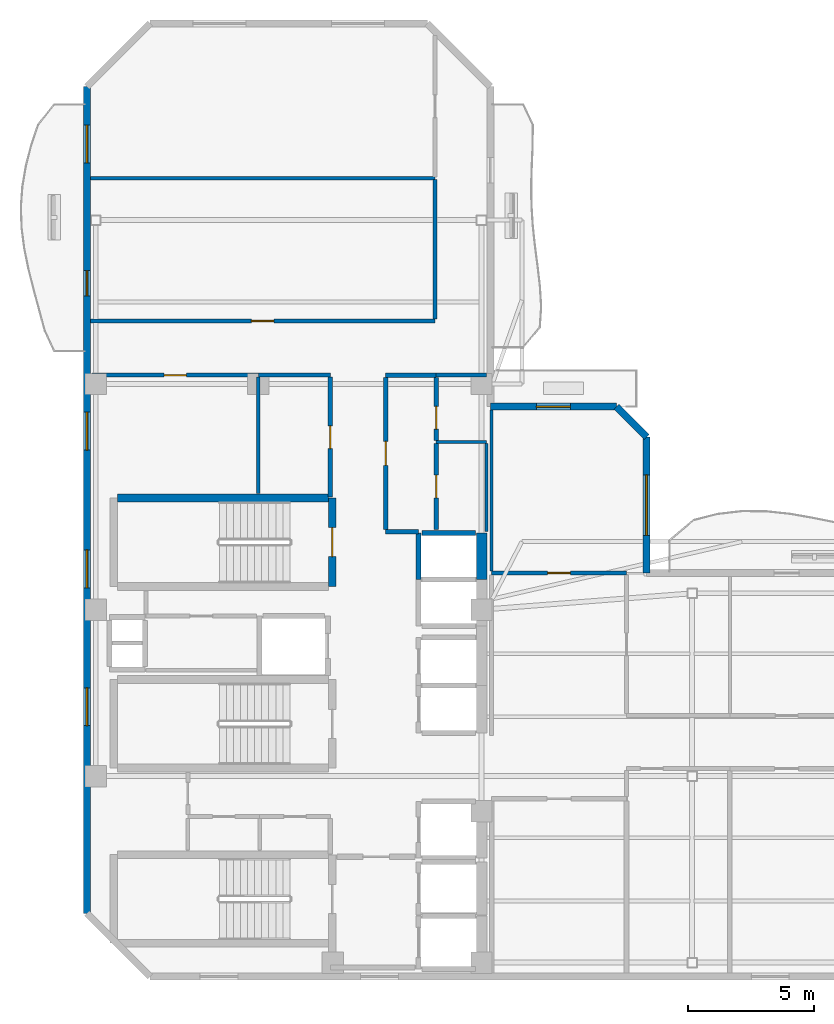
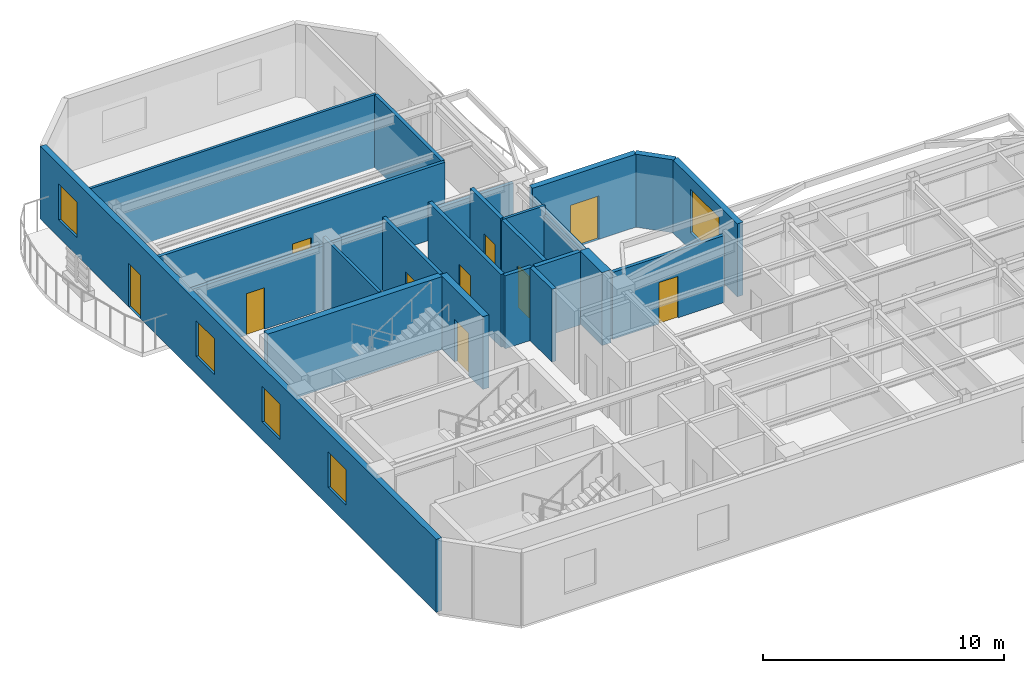
# One storey, part 4 of 8: 26 walls, 10 doors, 5 windows, 15 openings.
"""IFC4 building model written with IfcOpenShell, lengths in metres."""

from ifc_helpers import new_model, si_unit, direction, frame, frame_2d, origin, place, context, subcontext, project, spatial, rectangle, extrude, material, layer, layer_set, type_object, element, fill, save


model = new_model("IFC4")

# Units and contexts
model_context = context("Model", 3, precision=1e-05, world=origin(), true_north=direction((0.0, 1.0)))
body_context = subcontext(model_context, "Body", "Model", "MODEL_VIEW")
ifc_project = project(units=[si_unit("LENGTHUNIT", "METRE"), si_unit("AREAUNIT", "SQUARE_METRE"), si_unit("VOLUMEUNIT", "CUBIC_METRE"), si_unit("PLANEANGLEUNIT", "RADIAN"), si_unit("MASSUNIT", "GRAM", prefix="KILO")], contexts=[model_context])

# Site, building, storey
site_placement = place(None, origin())
site = spatial("IfcSite", under=ifc_project, at=site_placement, CompositionType="ELEMENT")
building_placement = place(site_placement, origin())
building = spatial("IfcBuilding", under=site, at=building_placement, Name="Mawjaban Terraces University", CompositionType="ELEMENT")
storey_placement = place(building_placement, frame((0.0, 0.0, 267.699951171875)))
storey = spatial("IfcBuildingStorey", under=building, at=storey_placement, Name="L65", CompositionType="ELEMENT", Elevation=267.699951171875)

# Walls
ifc_material_1 = material(Name="Acoustic masonry blockwork", Category="masonry")
ifc_layer_1 = layer(ifc_material_1, 0.179931640625)
ifc_layer_set_1 = layer_set([ifc_layer_1], Name="Acoustic masonry blockwork")
wall_type_1 = type_object("IfcWallType", Name="AcousticStudioWall_180", PredefinedType="PARTITIONING", material=ifc_layer_set_1)
wall_1_placement = place(storey_placement, frame((33.85009765625, 17.64990234375, 0.0), z_axis=(0.0, 0.0, 1.0), x_axis=(1.0, 0.0, 0.0)))
element("IfcWall", 1, at=wall_1_placement, inside=storey, type_object=wall_type_1, Name="L65 Graduate Research Collaboration Studio Partition 8", PredefinedType="PARTITIONING", context=body_context, shape_type="SweptSolid", body=[
    extrude(rectangle(XDim=1.2998046875, YDim=0.179931640625, at=frame_2d((0.64990234375, 0.0))), origin(), (0.0, 0.0, 1.0), 3.68994140625),
])
wall_2_placement = place(storey_placement, frame((35.85009765625, 23.85009765625, 0.0), z_axis=(0.0, 0.0, 1.0), x_axis=(-1.0, 0.0, 0.0)))
element("IfcWall", 2, at=wall_2_placement, inside=storey, type_object=wall_type_1, Name="L65 Graduate Research Collaboration Studio Partition 13", PredefinedType="PARTITIONING", context=body_context, shape_type="SweptSolid", body=[
    extrude(rectangle(XDim=2.0, YDim=0.179931640625, at=frame_2d((1.0, 0.0))), origin(), (0.0, 0.0, 1.0), 3.22705078125),
])

# Wall, opening, door
wall_3_placement = place(storey_placement, frame((33.85009765625, 17.735107421875, 0.0), z_axis=(0.0, 0.0, 1.0), x_axis=(0.0, 1.0, 0.0)))
wall_3 = element("IfcWall", 3, at=wall_3_placement, inside=storey, type_object=wall_type_1, Name="L65 Core North Lift Lobby Partition 32", PredefinedType="PARTITIONING", context=body_context, shape_type="SweptSolid", body=[
    extrude(rectangle(XDim=6.02978515625, YDim=0.179931640625, at=frame_2d((3.014892578125, 0.0))), origin(), (0.0, 0.0, 1.0), 3.68994140625),
])
opening_1_placement = place(wall_3_placement, frame((2.5400390625, 0.0, 0.0)))
opening_1 = element("IfcOpeningElement", 4, at=opening_1_placement, cuts=wall_3, Name="Opening ID-095", PredefinedType="OPENING", context=body_context, shape_type="SweptSolid", body=[
    extrude(rectangle(XDim=0.949951171875, YDim=2.10009765625, at=frame_2d((0.47509765625, 1.050048828125))), frame((0.0, 0.099853515625, 0.0), z_axis=(0.0, -1.0, 0.0), x_axis=(1.0, 0.0, 0.0)), (0.0, 0.0, 1.0), 0.199951171875),
])
ifc_material_2 = material(Name="Powder-coated steel frame and solid acoustic timber leaf", Category="steel")
door_type_1 = type_object("IfcDoorType", Name="StudioDoor_950x2100", OperationType="NOTDEFINED", PredefinedType="DOOR", material=ifc_material_2)
door_1_placement = place(opening_1_placement, origin())
door_1 = element("IfcDoor", 5, at=door_1_placement, inside=storey, type_object=door_type_1, Name="L65 Graduate Research Collaboration Studio Door", OperationType="SINGLE_SWING_LEFT", OverallHeight=2.10009765625, OverallWidth=0.949951171875, PredefinedType="DOOR", context=body_context, shape_type="SweptSolid", body=[
    extrude(rectangle(XDim=0.949951171875, YDim=2.10009765625, at=frame_2d((0.47509765625, 1.050048828125))), frame((0.0, 0.02490234375, 0.0), z_axis=(0.0, -1.0, 0.0), x_axis=(1.0, 0.0, 0.0)), (0.0, 0.0, 1.0), 0.050048828125),
])
fill(opening_1, door_1)

wall_4_placement = place(storey_placement, frame((35.85009765625, 17.72998046875, 0.0), z_axis=(0.0, 0.0, 1.0), x_axis=(0.0, 1.0, 0.0)))
wall_4 = element("IfcWall", 6, at=wall_4_placement, inside=storey, type_object=wall_type_1, Name="L65 Graduate Research Collaboration Studio Partition 35", PredefinedType="PARTITIONING", context=body_context, shape_type="SweptSolid", body=[
    extrude(rectangle(XDim=3.412109375, YDim=0.179931640625, at=frame_2d((1.7060546875, 0.0))), origin(), (0.0, 0.0, 1.0), 3.68994140625),
])
opening_2_placement = place(wall_4_placement, frame((1.256103515625, 0.0, 0.0)))
opening_2 = element("IfcOpeningElement", 7, at=opening_2_placement, cuts=wall_4, Name="Opening ID-090", PredefinedType="OPENING", context=body_context, shape_type="SweptSolid", body=[
    extrude(rectangle(XDim=0.89990234375, YDim=2.10009765625, at=frame_2d((0.449951171875, 1.050048828125))), frame((0.0, 0.099853515625, 0.0), z_axis=(0.0, -1.0, 0.0), x_axis=(1.0, 0.0, 0.0)), (0.0, 0.0, 1.0), 0.199951171875),
])
door_type_2 = type_object("IfcDoorType", Name="OfficeDoor_900x2100", OperationType="NOTDEFINED", PredefinedType="DOOR", material=ifc_material_2)
door_2_placement = place(opening_2_placement, origin())
door_2 = element("IfcDoor", 8, at=door_2_placement, inside=storey, type_object=door_type_2, Name="L65 Research Instrument Store Door", OperationType="SINGLE_SWING_LEFT", OverallHeight=2.10009765625, OverallWidth=0.89990234375, PredefinedType="DOOR", context=body_context, shape_type="SweptSolid", body=[
    extrude(rectangle(XDim=0.89990234375, YDim=2.10009765625, at=frame_2d((0.449951171875, 1.050048828125))), frame((0.0, 0.02490234375, 0.0), z_axis=(0.0, -1.0, 0.0), x_axis=(1.0, 0.0, 0.0)), (0.0, 0.0, 1.0), 0.050048828125),
])
fill(opening_2, door_2)

wall_5_placement = place(storey_placement, frame((35.85009765625, 21.258056640625, 0.0), z_axis=(0.0, 0.0, 1.0), x_axis=(0.0, 1.0, 0.0)))
wall_5 = element("IfcWall", 9, at=wall_5_placement, inside=storey, type_object=wall_type_1, Name="L65 Graduate Research Collaboration Studio Partition 36", PredefinedType="PARTITIONING", context=body_context, shape_type="SweptSolid", body=[
    extrude(rectangle(XDim=2.5068359375, YDim=0.179931640625, at=frame_2d((1.25341796875, 0.0))), origin(), (0.0, 0.0, 1.0), 3.68994140625),
])
opening_3_placement = place(wall_5_placement, frame((0.4541015625, 0.0, 0.0)))
opening_3 = element("IfcOpeningElement", 10, at=opening_3_placement, cuts=wall_5, Name="Opening ID-090", PredefinedType="OPENING", context=body_context, shape_type="SweptSolid", body=[
    extrude(rectangle(XDim=0.89990234375, YDim=2.10009765625, at=frame_2d((0.449951171875, 1.050048828125))), frame((0.0, 0.099853515625, 0.0), z_axis=(0.0, -1.0, 0.0), x_axis=(1.0, 0.0, 0.0)), (0.0, 0.0, 1.0), 0.199951171875),
])
door_3_placement = place(opening_3_placement, origin())
door_3 = element("IfcDoor", 11, at=door_3_placement, inside=storey, type_object=door_type_2, Name="L65 Graduate Quiet Study Alcove Door", OperationType="SINGLE_SWING_RIGHT", OverallHeight=2.10009765625, OverallWidth=0.89990234375, PredefinedType="DOOR", context=body_context, shape_type="SweptSolid", body=[
    extrude(rectangle(XDim=0.89990234375, YDim=2.10009765625, at=frame_2d((0.449951171875, 1.050048828125))), frame((0.0, 0.02490234375, 0.0), z_axis=(0.0, -1.0, 0.0), x_axis=(1.0, 0.0, 0.0)), (0.0, 0.0, 1.0), 0.050048828125),
])
fill(opening_3, door_3)

# Wall
ifc_material_3 = material(Name="Concrete C50/60", Category="concrete")
ifc_layer_2 = layer(ifc_material_3, 0.419921875)
ifc_layer_set_2 = layer_set([ifc_layer_2], Name="Concrete C50/60")
wall_type_2 = type_object("IfcWallType", Name="CoreShearWall_420", PredefinedType="SHEAR", material=ifc_layer_set_2)
wall_6_placement = place(storey_placement, frame((37.659912109375, 15.75, 0.0), z_axis=(0.0, 0.0, 1.0), x_axis=(0.0, 1.0, 0.0)))
element("IfcWall", 12, at=wall_6_placement, inside=storey, type_object=wall_type_2, Name="L65 Lift OL-2 Hoistway Wall East", PredefinedType="SHEAR", context=body_context, shape_type="SweptSolid", body=[
    extrude(rectangle(XDim=1.85009765625, YDim=0.419921875, at=frame_2d((0.925048828125, 0.0))), origin(), (0.0, 0.0, 1.0), 3.68994140625),
])

# Wall, opening, door
ifc_material_4 = material(Name="Fire-rated gypsum board on steel stud", Category="steel")
ifc_layer_3 = layer(ifc_material_4, 0.159912109375)
ifc_layer_set_3 = layer_set([ifc_layer_3], Name="Fire-rated gypsum board on steel stud")
wall_type_3 = type_object("IfcWallType", Name="CorridorPartition_160", PredefinedType="PARTITIONING", material=ifc_layer_set_3)
wall_7_placement = place(storey_placement, frame((28.800048828125, 23.85009765625, 0.0), z_axis=(0.0, 0.0, 1.0), x_axis=(-1.0, 0.0, 0.0)))
wall_7 = element("IfcWall", 13, at=wall_7_placement, inside=storey, type_object=wall_type_3, Name="L65 Female Toilet Partition 4", PredefinedType="PARTITIONING", context=body_context, shape_type="SweptSolid", body=[
    extrude(rectangle(XDim=6.60009765625, YDim=0.159912109375, at=frame_2d((3.300048828125, 0.0))), origin(), (0.0, 0.0, 1.0), 3.22705078125),
])
opening_4_placement = place(wall_7_placement, frame((2.860107421875, 0.0, 0.0)))
opening_4 = element("IfcOpeningElement", 14, at=opening_4_placement, cuts=wall_7, Name="Opening ID-088", PredefinedType="OPENING", context=body_context, shape_type="SweptSolid", body=[
    extrude(rectangle(XDim=0.8798828125, YDim=2.10009765625, at=frame_2d((0.43994140625, 1.050048828125))), frame((0.0, 0.08984375, 0.0), z_axis=(0.0, -1.0, 0.0), x_axis=(1.0, 0.0, 0.0)), (0.0, 0.0, 1.0), 0.179931640625),
])
door_type_3 = type_object("IfcDoorType", Name="ToiletDoor_880x2100", OperationType="NOTDEFINED", PredefinedType="DOOR", material=ifc_material_2)
door_4_placement = place(opening_4_placement, origin())
door_4 = element("IfcDoor", 15, at=door_4_placement, inside=storey, type_object=door_type_3, Name="L65 Female Toilet Door", OperationType="SINGLE_SWING_LEFT", OverallHeight=2.10009765625, OverallWidth=0.8798828125, PredefinedType="DOOR", context=body_context, shape_type="SweptSolid", body=[
    extrude(rectangle(XDim=0.8798828125, YDim=2.10009765625, at=frame_2d((0.43994140625, 1.050048828125))), frame((0.0, 0.02490234375, 0.0), z_axis=(0.0, -1.0, 0.0), x_axis=(1.0, 0.0, 0.0)), (0.0, 0.0, 1.0), 0.050048828125),
])
fill(opening_4, door_4)

# Wall
wall_8_placement = place(storey_placement, frame((31.64990234375, 23.85009765625, 0.0), z_axis=(0.0, 0.0, 1.0), x_axis=(-1.0, 0.0, 0.0)))
element("IfcWall", 16, at=wall_8_placement, inside=storey, type_object=wall_type_3, Name="L65 Faculty Academic Resource Office Partition 7", PredefinedType="PARTITIONING", context=body_context, shape_type="SweptSolid", body=[
    extrude(rectangle(XDim=2.849853515625, YDim=0.159912109375, at=frame_2d((1.4248046875, 0.0))), origin(), (0.0, 0.0, 1.0), 3.22705078125),
])

# Wall, opening, door
wall_9_placement = place(storey_placement, frame((35.800048828125, 26.0, 0.0), z_axis=(0.0, 0.0, 1.0), x_axis=(-1.0, 0.0, 0.0)))
wall_9 = element("IfcWall", 17, at=wall_9_placement, inside=storey, type_object=wall_type_3, Name="L65 North Core Cross-Corridor Partition 10", PredefinedType="PARTITIONING", context=body_context, shape_type="SweptSolid", body=[
    extrude(rectangle(XDim=13.6669921875, YDim=0.159912109375, at=frame_2d((6.83349609375, 0.0))), origin(), (0.0, 0.0, 1.0), 3.68994140625),
])
opening_5_placement = place(wall_9_placement, frame((6.383056640625, 0.0, 0.0)))
opening_5 = element("IfcOpeningElement", 18, at=opening_5_placement, cuts=wall_9, Name="Opening ID-090", PredefinedType="OPENING", context=body_context, shape_type="SweptSolid", body=[
    extrude(rectangle(XDim=0.89990234375, YDim=2.10009765625, at=frame_2d((0.449951171875, 1.050048828125))), frame((0.0, 0.08984375, 0.0), z_axis=(0.0, -1.0, 0.0), x_axis=(1.0, 0.0, 0.0)), (0.0, 0.0, 1.0), 0.179931640625),
])
door_5_placement = place(opening_5_placement, origin())
door_5 = element("IfcDoor", 19, at=door_5_placement, inside=storey, type_object=door_type_2, Name="L65 Seminar Room 10 Door", OperationType="SINGLE_SWING_LEFT", OverallHeight=2.10009765625, OverallWidth=0.89990234375, PredefinedType="DOOR", context=body_context, shape_type="SweptSolid", body=[
    extrude(rectangle(XDim=0.89990234375, YDim=2.10009765625, at=frame_2d((0.449951171875, 1.050048828125))), frame((0.0, 0.02490234375, 0.0), z_axis=(0.0, -1.0, 0.0), x_axis=(1.0, 0.0, 0.0)), (0.0, 0.0, 1.0), 0.050048828125),
])
fill(opening_5, door_5)

# Wall
wall_10_placement = place(storey_placement, frame((37.85009765625, 23.85009765625, 0.0), z_axis=(0.0, 0.0, 1.0), x_axis=(-1.0, 0.0, 0.0)))
element("IfcWall", 20, at=wall_10_placement, inside=storey, type_object=wall_type_3, Name="L65 Graduate Quiet Study Alcove Partition 14", PredefinedType="PARTITIONING", context=body_context, shape_type="SweptSolid", body=[
    extrude(rectangle(XDim=2.0, YDim=0.159912109375, at=frame_2d((1.0, 0.0))), origin(), (0.0, 0.0, 1.0), 3.22705078125),
])

# Wall, opening, door
wall_11_placement = place(storey_placement, frame((43.39990234375, 16.0, 0.0), z_axis=(0.0, 0.0, 1.0), x_axis=(-1.0, 0.0, 0.0)))
wall_11 = element("IfcWall", 21, at=wall_11_placement, inside=storey, type_object=wall_type_3, Name="L65 Upper Research Hub Concourse Partition 17", PredefinedType="PARTITIONING", context=body_context, shape_type="SweptSolid", body=[
    extrude(rectangle(XDim=5.349853515625, YDim=0.159912109375, at=frame_2d((2.6748046875, 0.0))), origin(), (0.0, 0.0, 1.0), 3.39013671875),
])
opening_6_placement = place(wall_11_placement, frame((2.22509765625, 0.0, 0.0)))
opening_6 = element("IfcOpeningElement", 22, at=opening_6_placement, cuts=wall_11, Name="Opening ID-090", PredefinedType="OPENING", context=body_context, shape_type="SweptSolid", body=[
    extrude(rectangle(XDim=0.89990234375, YDim=2.10009765625, at=frame_2d((0.449951171875, 1.050048828125))), frame((0.0, 0.08984375, 0.0), z_axis=(0.0, -1.0, 0.0), x_axis=(1.0, 0.0, 0.0)), (0.0, 0.0, 1.0), 0.179931640625),
])
door_6_placement = place(opening_6_placement, origin())
door_6 = element("IfcDoor", 23, at=door_6_placement, inside=storey, type_object=door_type_2, Name="L65 Terrace Collaborative Study Room Door", OperationType="SINGLE_SWING_LEFT", OverallHeight=2.10009765625, OverallWidth=0.89990234375, PredefinedType="DOOR", context=body_context, shape_type="SweptSolid", body=[
    extrude(rectangle(XDim=0.89990234375, YDim=2.10009765625, at=frame_2d((0.449951171875, 1.050048828125))), frame((0.0, 0.02490234375, 0.0), z_axis=(0.0, -1.0, 0.0), x_axis=(1.0, 0.0, 0.0)), (0.0, 0.0, 1.0), 0.050048828125),
])
fill(opening_6, door_6)

wall_12_placement = place(storey_placement, frame((31.64990234375, 19.010009765625, 0.0), z_axis=(0.0, 0.0, 1.0), x_axis=(0.0, 1.0, 0.0)))
wall_12 = element("IfcWall", 24, at=wall_12_placement, inside=storey, type_object=wall_type_3, Name="L65 Faculty Academic Resource Office Partition 31", PredefinedType="PARTITIONING", context=body_context, shape_type="SweptSolid", body=[
    extrude(rectangle(XDim=4.764892578125, YDim=0.159912109375, at=frame_2d((2.38232421875, 0.0))), origin(), (0.0, 0.0, 1.0), 3.68994140625),
])
opening_7_placement = place(wall_12_placement, frame((1.931884765625, 0.0, 0.0)))
opening_7 = element("IfcOpeningElement", 25, at=opening_7_placement, cuts=wall_12, Name="Opening ID-090", PredefinedType="OPENING", context=body_context, shape_type="SweptSolid", body=[
    extrude(rectangle(XDim=0.89990234375, YDim=2.10009765625, at=frame_2d((0.449951171875, 1.050048828125))), frame((0.0, 0.08984375, 0.0), z_axis=(0.0, -1.0, 0.0), x_axis=(1.0, 0.0, 0.0)), (0.0, 0.0, 1.0), 0.179931640625),
])
door_7_placement = place(opening_7_placement, origin())
door_7 = element("IfcDoor", 26, at=door_7_placement, inside=storey, type_object=door_type_2, Name="L65 Faculty Academic Resource Office Door", OperationType="SINGLE_SWING_RIGHT", OverallHeight=2.10009765625, OverallWidth=0.89990234375, PredefinedType="DOOR", context=body_context, shape_type="SweptSolid", body=[
    extrude(rectangle(XDim=0.89990234375, YDim=2.10009765625, at=frame_2d((0.449951171875, 1.050048828125))), frame((0.0, 0.02490234375, 0.0), z_axis=(0.0, -1.0, 0.0), x_axis=(1.0, 0.0, 0.0)), (0.0, 0.0, 1.0), 0.050048828125),
])
fill(opening_7, door_7)

# Wall
wall_13_placement = place(storey_placement, frame((35.800048828125, 31.60205078125, 0.0), z_axis=(0.0, 0.0, 1.0), x_axis=(0.0, -1.0, 0.0)))
element("IfcWall", 27, at=wall_13_placement, inside=storey, type_object=wall_type_3, Name="L65 Upper North Research Gallery Partition 33", PredefinedType="PARTITIONING", context=body_context, shape_type="SweptSolid", body=[
    extrude(rectangle(XDim=5.527099609375, YDim=0.159912109375, at=frame_2d((2.763671875, 0.0))), origin(), (0.0, 0.0, 1.0), 3.68994140625),
])

# Wall, opening, window
ifc_material_5 = material(Name="Insulated terracotta rainscreen on concrete backup C40/50", Category="masonry")
ifc_layer_4 = layer(ifc_material_5, 0.27490234375)
ifc_layer_set_4 = layer_set([ifc_layer_4], Name="Insulated terracotta rainscreen on concrete backup C40/50")
wall_type_4 = type_object("IfcWallType", Name="ExtTerracottaWall_275", PredefinedType="SOLIDWALL", material=ifc_layer_set_4)
wall_14_placement = place(storey_placement, frame((44.199951171875, 16.0, 0.0), z_axis=(0.0, 0.0, 1.0), x_axis=(0.0, 1.0, 0.0)))
wall_14 = element("IfcWall", 28, at=wall_14_placement, inside=storey, type_object=wall_type_4, Name="L65 Exterior Terracotta Wall 6", PredefinedType="SOLIDWALL", context=body_context, shape_type="SweptSolid", body=[
    extrude(rectangle(XDim=5.39990234375, YDim=0.27490234375, at=frame_2d((2.699951171875, 0.0))), origin(), (0.0, 0.0, 1.0), 3.68994140625),
])
opening_8_placement = place(wall_14_placement, frame((1.5, 0.0, 0.89990234375)))
opening_8 = element("IfcOpeningElement", 29, at=opening_8_placement, cuts=wall_14, Name="Opening W-11", PredefinedType="OPENING", context=body_context, shape_type="SweptSolid", body=[
    extrude(rectangle(XDim=2.39990234375, YDim=2.199951171875, at=frame_2d((1.199951171875, 1.10009765625))), frame((0.0, 0.1474609375, 0.0), z_axis=(0.0, -1.0, 0.0), x_axis=(1.0, 0.0, 0.0)), (0.0, 0.0, 1.0), 0.294921875),
])
ifc_material_6 = material(Name="Low-E solar-control double glazing in thermally broken aluminium frame", Category="aluminium")
window_type_1 = type_object("IfcWindowType", Name="Win_2400x2200", PartitioningType="SINGLE_PANEL", PredefinedType="WINDOW", material=ifc_material_6)
window_1_placement = place(opening_8_placement, origin())
window_1 = element("IfcWindow", 30, at=window_1_placement, inside=storey, type_object=window_type_1, Name="L65 Facade Window 6.1", OverallHeight=2.199951171875, OverallWidth=2.39990234375, PartitioningType="SINGLE_PANEL", PredefinedType="WINDOW", context=body_context, shape_type="SweptSolid", body=[
    extrude(rectangle(XDim=2.39990234375, YDim=2.199951171875, at=frame_2d((1.199951171875, 1.10009765625))), frame((0.0, 0.030029296875, 0.0), z_axis=(0.0, -1.0, 0.0), x_axis=(1.0, 0.0, 0.0)), (0.0, 0.0, 1.0), 0.06005859375),
])
fill(opening_8, window_1)

# Wall
wall_15_placement = place(storey_placement, frame((44.199951171875, 21.39990234375, 0.0), z_axis=(0.0, 0.0, 1.0), x_axis=(-0.707034851297, 0.707178703759, 0.0)))
element("IfcWall", 31, at=wall_15_placement, inside=storey, type_object=wall_type_4, Name="L65 Exterior Terracotta Wall 7", PredefinedType="SOLIDWALL", context=body_context, shape_type="SweptSolid", body=[
    extrude(rectangle(XDim=1.697265625, YDim=0.27490234375, at=frame_2d((0.8486328125, 0.0))), origin(), (0.0, 0.0, 1.0), 3.68994140625),
])

# Wall, opening, door
wall_16_placement = place(storey_placement, frame((43.0, 22.60009765625, 0.0), z_axis=(0.0, 0.0, 1.0), x_axis=(-1.0, 0.0, 0.0)))
wall_16 = element("IfcWall", 32, at=wall_16_placement, inside=storey, type_object=wall_type_4, Name="L65 Exterior Terracotta Wall 8", PredefinedType="SOLIDWALL", context=body_context, shape_type="SweptSolid", body=[
    extrude(rectangle(XDim=5.0, YDim=0.27490234375, at=frame_2d((2.5, 0.0))), origin(), (0.0, 0.0, 1.0), 3.68994140625),
])
opening_9_placement = place(wall_16_placement, frame((1.824951171875, 0.0, 0.0)))
opening_9 = element("IfcOpeningElement", 33, at=opening_9_placement, cuts=wall_16, Name="Opening TD-135", PredefinedType="OPENING", context=body_context, shape_type="SweptSolid", body=[
    extrude(rectangle(XDim=1.35009765625, YDim=2.199951171875, at=frame_2d((0.675048828125, 1.10009765625))), frame((0.0, 0.1474609375, 0.0), z_axis=(0.0, -1.0, 0.0), x_axis=(1.0, 0.0, 0.0)), (0.0, 0.0, 1.0), 0.294921875),
])
ifc_material_7 = material(Name="Thermally broken anodised aluminium and laminated safety glass", Category="aluminium")
door_type_4 = type_object("IfcDoorType", Name="TerraceGlazedDoor_1350x2200", OperationType="NOTDEFINED", PredefinedType="DOOR", material=ifc_material_7)
door_8_placement = place(opening_9_placement, origin())
door_8 = element("IfcDoor", 34, at=door_8_placement, inside=storey, type_object=door_type_4, Name="L65 Terrace Access Door TER-L65-CLIMB", OperationType="SINGLE_SWING_LEFT", OverallHeight=2.199951171875, OverallWidth=1.35009765625, PredefinedType="DOOR", context=body_context, shape_type="SweptSolid", body=[
    extrude(rectangle(XDim=1.35009765625, YDim=2.199951171875, at=frame_2d((0.675048828125, 1.10009765625))), frame((0.0, 0.02490234375, 0.0), z_axis=(0.0, -1.0, 0.0), x_axis=(1.0, 0.0, 0.0)), (0.0, 0.0, 1.0), 0.050048828125),
])
fill(opening_9, door_8)

# Wall, openings, door, windows
wall_17_placement = place(storey_placement, frame((22.0, 35.300048828125, 0.0), z_axis=(0.0, 0.0, 1.0), x_axis=(0.0, -1.0, 0.0)))
wall_17 = element("IfcWall", 35, at=wall_17_placement, inside=storey, type_object=wall_type_4, Name="L65 Exterior Terracotta Wall 13", PredefinedType="SOLIDWALL", context=body_context, shape_type="SweptSolid", body=[
    extrude(rectangle(XDim=32.800048828125, YDim=0.27490234375, at=frame_2d((16.39990234375, 0.0))), origin(), (0.0, 0.0, 1.0), 3.68994140625),
])
opening_10_placement = place(wall_17_placement, frame((7.300048828125, 0.0, 0.0)))
opening_10 = element("IfcOpeningElement", 36, at=opening_10_placement, cuts=wall_17, Name="Opening BD-100", PredefinedType="OPENING", context=body_context, shape_type="SweptSolid", body=[
    extrude(rectangle(XDim=1.0, YDim=2.199951171875, at=frame_2d((0.5, 1.10009765625))), frame((0.0, 0.1474609375, 0.0), z_axis=(0.0, -1.0, 0.0), x_axis=(1.0, 0.0, 0.0)), (0.0, 0.0, 1.0), 0.294921875),
])
opening_11_placement = place(wall_17_placement, frame((1.532958984375, 0.0, 0.89990234375)))
opening_11 = element("IfcOpeningElement", 37, at=opening_11_placement, cuts=wall_17, Name="Opening W-06", PredefinedType="OPENING", context=body_context, shape_type="SweptSolid", body=[
    extrude(rectangle(XDim=1.5, YDim=1.800048828125, at=frame_2d((0.75, 0.89990234375))), frame((0.0, 0.1474609375, 0.0), z_axis=(0.0, -1.0, 0.0), x_axis=(1.0, 0.0, 0.0)), (0.0, 0.0, 1.0), 0.294921875),
])
opening_12_placement = place(wall_17_placement, frame((12.9169921875, 0.0, 0.89990234375)))
opening_12 = element("IfcOpeningElement", 38, at=opening_12_placement, cuts=wall_17, Name="Opening W-06", PredefinedType="OPENING", context=body_context, shape_type="SweptSolid", body=[
    extrude(rectangle(XDim=1.5, YDim=1.800048828125, at=frame_2d((0.75, 0.89990234375))), frame((0.0, 0.1474609375, 0.0), z_axis=(0.0, -1.0, 0.0), x_axis=(1.0, 0.0, 0.0)), (0.0, 0.0, 1.0), 0.294921875),
])
opening_13_placement = place(wall_17_placement, frame((18.383056640625, 0.0, 0.89990234375)))
opening_13 = element("IfcOpeningElement", 39, at=opening_13_placement, cuts=wall_17, Name="Opening W-06", PredefinedType="OPENING", context=body_context, shape_type="SweptSolid", body=[
    extrude(rectangle(XDim=1.5, YDim=1.800048828125, at=frame_2d((0.75, 0.89990234375))), frame((0.0, 0.1474609375, 0.0), z_axis=(0.0, -1.0, 0.0), x_axis=(1.0, 0.0, 0.0)), (0.0, 0.0, 1.0), 0.294921875),
])
opening_14_placement = place(wall_17_placement, frame((23.85009765625, 0.0, 0.89990234375)))
opening_14 = element("IfcOpeningElement", 40, at=opening_14_placement, cuts=wall_17, Name="Opening W-06", PredefinedType="OPENING", context=body_context, shape_type="SweptSolid", body=[
    extrude(rectangle(XDim=1.5, YDim=1.800048828125, at=frame_2d((0.75, 0.89990234375))), frame((0.0, 0.1474609375, 0.0), z_axis=(0.0, -1.0, 0.0), x_axis=(1.0, 0.0, 0.0)), (0.0, 0.0, 1.0), 0.294921875),
])
door_type_5 = type_object("IfcDoorType", Name="BalconyGlazedDoor_1000x2200", OperationType="NOTDEFINED", PredefinedType="DOOR", material=ifc_material_7)
door_9_placement = place(opening_10_placement, origin())
door_9 = element("IfcDoor", 41, at=door_9_placement, inside=storey, type_object=door_type_5, Name="L65 Balcony Access Door west", OperationType="SINGLE_SWING_RIGHT", OverallHeight=2.199951171875, OverallWidth=1.0, PredefinedType="DOOR", context=body_context, shape_type="SweptSolid", body=[
    extrude(rectangle(XDim=1.0, YDim=2.199951171875, at=frame_2d((0.5, 1.10009765625))), frame((0.0, 0.02490234375, 0.0), z_axis=(0.0, -1.0, 0.0), x_axis=(1.0, 0.0, 0.0)), (0.0, 0.0, 1.0), 0.050048828125),
])
fill(opening_10, door_9)
window_type_2 = type_object("IfcWindowType", Name="Win_1500x1800", PartitioningType="SINGLE_PANEL", PredefinedType="WINDOW", material=ifc_material_6)
window_2_placement = place(opening_11_placement, origin())
window_2 = element("IfcWindow", 42, at=window_2_placement, inside=storey, type_object=window_type_2, Name="L65 Facade Window 13.1", OverallHeight=1.800048828125, OverallWidth=1.5, PartitioningType="SINGLE_PANEL", PredefinedType="WINDOW", context=body_context, shape_type="SweptSolid", body=[
    extrude(rectangle(XDim=1.5, YDim=1.800048828125, at=frame_2d((0.75, 0.89990234375))), frame((0.0, 0.030029296875, 0.0), z_axis=(0.0, -1.0, 0.0), x_axis=(1.0, 0.0, 0.0)), (0.0, 0.0, 1.0), 0.06005859375),
])
fill(opening_11, window_2)
window_3_placement = place(opening_12_placement, origin())
window_3 = element("IfcWindow", 43, at=window_3_placement, inside=storey, type_object=window_type_2, Name="L65 Facade Window 13.3", OverallHeight=1.800048828125, OverallWidth=1.5, PartitioningType="SINGLE_PANEL", PredefinedType="WINDOW", context=body_context, shape_type="SweptSolid", body=[
    extrude(rectangle(XDim=1.5, YDim=1.800048828125, at=frame_2d((0.75, 0.89990234375))), frame((0.0, 0.030029296875, 0.0), z_axis=(0.0, -1.0, 0.0), x_axis=(1.0, 0.0, 0.0)), (0.0, 0.0, 1.0), 0.06005859375),
])
fill(opening_12, window_3)
window_4_placement = place(opening_13_placement, origin())
window_4 = element("IfcWindow", 44, at=window_4_placement, inside=storey, type_object=window_type_2, Name="L65 Facade Window 13.4", OverallHeight=1.800048828125, OverallWidth=1.5, PartitioningType="SINGLE_PANEL", PredefinedType="WINDOW", context=body_context, shape_type="SweptSolid", body=[
    extrude(rectangle(XDim=1.5, YDim=1.800048828125, at=frame_2d((0.75, 0.89990234375))), frame((0.0, 0.030029296875, 0.0), z_axis=(0.0, -1.0, 0.0), x_axis=(1.0, 0.0, 0.0)), (0.0, 0.0, 1.0), 0.06005859375),
])
fill(opening_13, window_4)
window_5_placement = place(opening_14_placement, origin())
window_5 = element("IfcWindow", 45, at=window_5_placement, inside=storey, type_object=window_type_2, Name="L65 Facade Window 13.5", OverallHeight=1.800048828125, OverallWidth=1.5, PartitioningType="SINGLE_PANEL", PredefinedType="WINDOW", context=body_context, shape_type="SweptSolid", body=[
    extrude(rectangle(XDim=1.5, YDim=1.800048828125, at=frame_2d((0.75, 0.89990234375))), frame((0.0, 0.030029296875, 0.0), z_axis=(0.0, -1.0, 0.0), x_axis=(1.0, 0.0, 0.0)), (0.0, 0.0, 1.0), 0.06005859375),
])
fill(opening_14, window_5)

# Walls
ifc_material_8 = material(Name="Concrete C40/50", Category="concrete")
ifc_layer_5 = layer(ifc_material_8, 0.199951171875)
ifc_layer_set_5 = layer_set([ifc_layer_5], Name="Concrete C40/50")
wall_type_5 = type_object("IfcWallType", Name="FireLobbyWall_200", PredefinedType="SOLIDWALL", material=ifc_layer_set_5)
wall_18_placement = place(storey_placement, frame((35.14990234375, 17.60009765625, 0.0), z_axis=(0.0, 0.0, 1.0), x_axis=(0.0, -1.0, 0.0)))
element("IfcWall", 46, at=wall_18_placement, inside=storey, type_object=wall_type_5, Name="L65 Lift OL-2 Hoistway Wall West", PredefinedType="SOLIDWALL", context=body_context, shape_type="SweptSolid", body=[
    extrude(rectangle(XDim=1.85009765625, YDim=0.199951171875, at=frame_2d((0.925048828125, 0.0))), origin(), (0.0, 0.0, 1.0), 3.68994140625),
])
wall_19_placement = place(storey_placement, frame((37.419921875, 17.60009765625, 0.0), z_axis=(0.0, 0.0, 1.0), x_axis=(-1.0, 0.0, 0.0)))
element("IfcWall", 47, at=wall_19_placement, inside=storey, type_object=wall_type_5, Name="L65 Lift OL-2 Hoistway Wall North", PredefinedType="SOLIDWALL", context=body_context, shape_type="SweptSolid", body=[
    extrude(rectangle(XDim=2.139892578125, YDim=0.199951171875, at=frame_2d((1.06982421875, 0.0))), origin(), (0.0, 0.0, 1.0), 3.68994140625),
])
ifc_material_9 = material(Name="Gypsum plasterboard on steel stud", Category="steel")
ifc_layer_6 = layer(ifc_material_9, 0.125)
ifc_layer_set_6 = layer_set([ifc_layer_6], Name="Gypsum plasterboard on steel stud")
wall_type_6 = type_object("IfcWallType", Name="OfficePartition_125", PredefinedType="PARTITIONING", material=ifc_layer_set_6)
wall_20_placement = place(storey_placement, frame((35.800048828125, 31.659912109375, 0.0), z_axis=(0.0, 0.0, 1.0), x_axis=(-1.0, 0.0, 0.0)))
element("IfcWall", 48, at=wall_20_placement, inside=storey, type_object=wall_type_6, Name="L65 Seminar Room 10 Partition 11", PredefinedType="PARTITIONING", context=body_context, shape_type="SweptSolid", body=[
    extrude(rectangle(XDim=13.6669921875, YDim=0.125, at=frame_2d((6.83349609375, 0.0))), origin(), (0.0, 0.0, 1.0), 3.68994140625),
])
wall_21_placement = place(storey_placement, frame((35.85009765625, 21.199951171875, 0.0), z_axis=(0.0, 0.0, 1.0), x_axis=(1.0, 0.0, 0.0)))
element("IfcWall", 49, at=wall_21_placement, inside=storey, type_object=wall_type_6, Name="L65 Graduate Quiet Study Alcove Partition 12", PredefinedType="PARTITIONING", context=body_context, shape_type="SweptSolid", body=[
    extrude(rectangle(XDim=2.0, YDim=0.125, at=frame_2d((1.0, 0.0))), origin(), (0.0, 0.0, 1.0), 3.68994140625),
])
wall_22_placement = place(storey_placement, frame((37.85009765625, 17.64990234375, 0.0), z_axis=(0.0, 0.0, 1.0), x_axis=(0.0, 1.0, 0.0)))
element("IfcWall", 50, at=wall_22_placement, inside=storey, type_object=wall_type_6, Name="L65 Research Instrument Store Partition 37", PredefinedType="PARTITIONING", context=body_context, shape_type="SweptSolid", body=[
    extrude(rectangle(XDim=3.4921875, YDim=0.125, at=frame_2d((1.74609375, 0.0))), origin(), (0.0, 0.0, 1.0), 3.22705078125),
])
wall_23_placement = place(storey_placement, frame((38.050048828125, 22.468017578125, 0.0), z_axis=(0.0, 0.0, 1.0), x_axis=(0.0, -1.0, 0.0)))
element("IfcWall", 51, at=wall_23_placement, inside=storey, type_object=wall_type_6, Name="L65 Terrace Collaborative Study Room Partition 40", PredefinedType="PARTITIONING", context=body_context, shape_type="SweptSolid", body=[
    extrude(rectangle(XDim=6.39306640625, YDim=0.125, at=frame_2d((3.196533203125, 0.0))), origin(), (0.0, 0.0, 1.0), 3.22705078125),
])
ifc_material_10 = material(Name="Concrete C60/75", Category="concrete")
ifc_layer_7 = layer(ifc_material_10, 0.300048828125)
ifc_layer_set_7 = layer_set([ifc_layer_7], Name="Concrete C60/75")
wall_type_7 = type_object("IfcWallType", Name="StairShaftWall_300", PredefinedType="SHEAR", material=ifc_layer_set_7)
wall_24_placement = place(storey_placement, frame((31.580078125, 18.97998046875, 0.0), z_axis=(0.0, 0.0, 1.0), x_axis=(-1.0, 0.0, 0.0)))
element("IfcWall", 52, at=wall_24_placement, inside=storey, type_object=wall_type_7, Name="L65 ST-2 Stair Shaft Wall 1", PredefinedType="SHEAR", context=body_context, shape_type="SweptSolid", body=[
    extrude(rectangle(XDim=8.360107421875, YDim=0.300048828125, at=frame_2d((4.18017578125, 0.0))), origin(), (0.0, 0.0, 1.0), 3.68994140625),
])

# Wall, opening, door
wall_25_placement = place(storey_placement, frame((31.72998046875, 15.469970703125, 0.0), z_axis=(0.0, 0.0, 1.0), x_axis=(0.0, 1.0, 0.0)))
wall_25 = element("IfcWall", 53, at=wall_25_placement, inside=storey, type_object=wall_type_7, Name="L65 ST-2 Stair Shaft Wall 4", PredefinedType="SHEAR", context=body_context, shape_type="SweptSolid", body=[
    extrude(rectangle(XDim=3.510009765625, YDim=0.300048828125, at=frame_2d((1.7548828125, 0.0))), origin(), (0.0, 0.0, 1.0), 3.68994140625),
])
opening_15_placement = place(wall_25_placement, frame((1.179931640625, 0.0, 0.0)))
opening_15 = element("IfcOpeningElement", 54, at=opening_15_placement, cuts=wall_25, Name="Opening FD-115", PredefinedType="OPENING", context=body_context, shape_type="SweptSolid", body=[
    extrude(rectangle(XDim=1.14990234375, YDim=2.14990234375, at=frame_2d((0.574951171875, 1.074951171875))), frame((0.0, 0.159912109375, 0.0), z_axis=(0.0, -1.0, 0.0), x_axis=(1.0, 0.0, 0.0)), (0.0, 0.0, 1.0), 0.320068359375),
])
ifc_material_11 = material(Name="Powder-coated steel frame and fire-rated steel-faced leaf", Category="steel")
door_type_6 = type_object("IfcDoorType", Name="FireStairDoor_1150x2150", OperationType="NOTDEFINED", PredefinedType="DOOR", material=ifc_material_11)
door_10_placement = place(opening_15_placement, origin())
door_10 = element("IfcDoor", 55, at=door_10_placement, inside=storey, type_object=door_type_6, Name="L65 ST-2 Pressurised Stair Fire Door", OperationType="SINGLE_SWING_RIGHT", OverallHeight=2.14990234375, OverallWidth=1.14990234375, PredefinedType="DOOR", context=body_context, shape_type="SweptSolid", body=[
    extrude(rectangle(XDim=1.14990234375, YDim=2.14990234375, at=frame_2d((0.574951171875, 1.074951171875))), frame((0.0, 0.02490234375, 0.0), z_axis=(0.0, -1.0, 0.0), x_axis=(1.0, 0.0, 0.0)), (0.0, 0.0, 1.0), 0.050048828125),
])
fill(opening_15, door_10)

# Wall
ifc_material_12 = material(Name="Cement-board wet-room partition", Category="masonry")
ifc_layer_8 = layer(ifc_material_12, 0.135009765625)
ifc_layer_set_8 = layer_set([ifc_layer_8], Name="Cement-board wet-room partition")
wall_type_8 = type_object("IfcWallType", Name="WetRoomPartition_135", PredefinedType="PARTITIONING", material=ifc_layer_set_8)
wall_26_placement = place(storey_placement, frame((28.800048828125, 23.77490234375, 0.0), z_axis=(0.0, 0.0, 1.0), x_axis=(0.0, -1.0, 0.0)))
element("IfcWall", 56, at=wall_26_placement, inside=storey, type_object=wall_type_8, Name="L65 Faculty Academic Resource Office Partition 28", PredefinedType="PARTITIONING", context=body_context, shape_type="SweptSolid", body=[
    extrude(rectangle(XDim=4.614990234375, YDim=0.135009765625, at=frame_2d((2.3076171875, 0.0))), origin(), (0.0, 0.0, 1.0), 3.68994140625),
])

save(model, "model.ifc")
